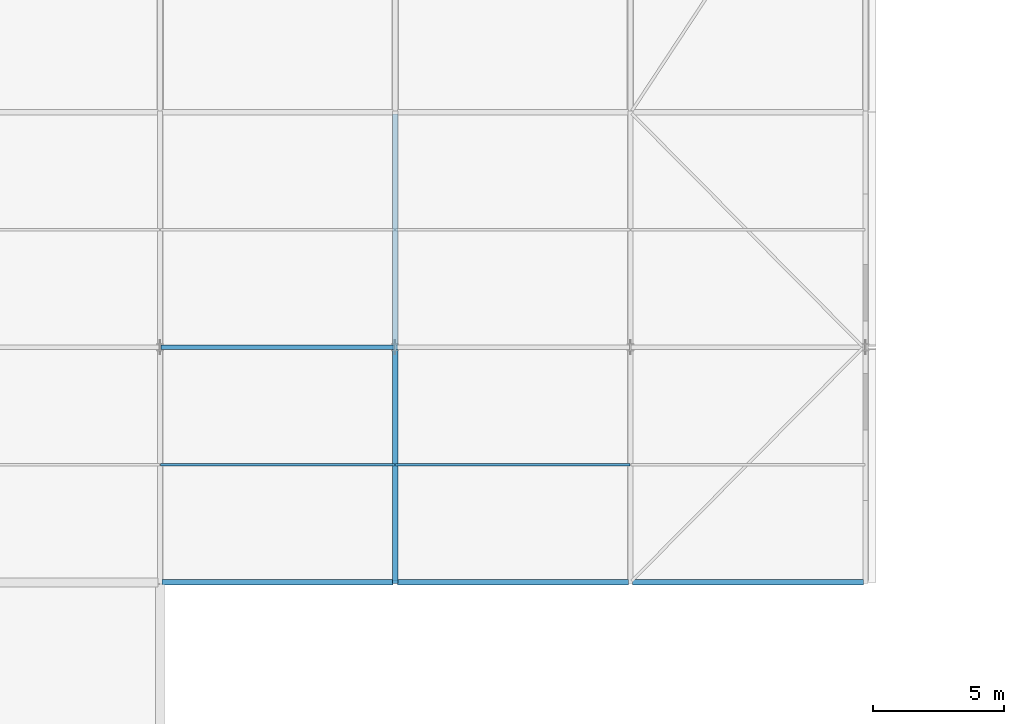
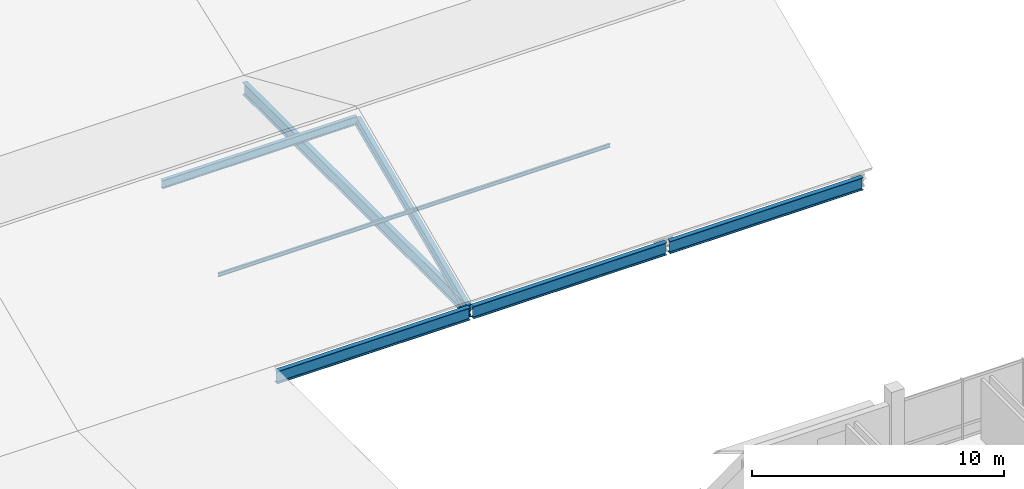
# One storey, part 24 of 163: 4 beams, 4 members.
"""IFC4 building model written with IfcOpenShell, lengths in metres."""

from ifc_helpers import new_model, si_unit, direction, frame, origin, origin_2d, place, context, subcontext, project, spatial, i_section, extrude, material, material_profile, profile_set, type_object, element, save


model = new_model("IFC4")

# Units and contexts
model_context = context("Model", 3, precision=1e-05, world=origin(), true_north=direction((0.0, 1.0)))
body_context = subcontext(model_context, "Body", "Model", "MODEL_VIEW")
ifc_project = project(units=[si_unit("LENGTHUNIT", "METRE"), si_unit("AREAUNIT", "SQUARE_METRE"), si_unit("VOLUMEUNIT", "CUBIC_METRE"), si_unit("PLANEANGLEUNIT", "RADIAN"), si_unit("MASSUNIT", "GRAM", prefix="KILO")], contexts=[model_context])

# Site, building, storey
site_placement = place(None, origin())
site = spatial("IfcSite", under=ifc_project, at=site_placement, CompositionType="ELEMENT")
building_placement = place(site_placement, origin())
building = spatial("IfcBuilding", under=site, at=building_placement, Name="Tharagai Park Tramway Depot", CompositionType="ELEMENT")
storey_placement = place(building_placement, frame((0.0, 0.0, 8.39990234375)))
storey = spatial("IfcBuildingStorey", under=building, at=storey_placement, Name="L02", CompositionType="ELEMENT", Elevation=8.39990234375)

# Beams
ifc_material_1 = material(Name="Steel E350", Category="steel")
ifc_material_profile_1 = material_profile(ifc_material_1, i_section(OverallWidth=0.2099609375, OverallDepth=0.60009765625, WebThickness=0.011962890625, FlangeThickness=0.020751953125, FilletRadius=0.02001953125, at=origin_2d()), Name="ISMB 600")
ifc_profile_set_1 = profile_set([ifc_material_profile_1], Name="Steel E350")
beam_type = type_object("IfcBeamType", Name="BM-10", PredefinedType="BEAM", material=ifc_profile_set_1)
for number, where, z_axis, x_axis, name in (
    (1, (63.080078125, 45.0, -0.5498046875), (1.0, 0.0, 0.0), (0.0, 1.0, 0.0), "V2A Roof Eave Girder BM-10"),
    (2, (72.080078125, 45.0, -0.5498046875), (1.0, 0.0, 0.0), (0.0, 1.0, 0.0), "V2A Roof Eave Girder BM-10"),
    (3, (81.080078125, 45.0, -0.5498046875), (1.0, 0.0, 0.0), (0.0, 1.0, 0.0), "V2A Roof Eave Girder BM-10"),
):
    element("IfcBeam", number, at=place(storey_placement, frame(where, z_axis=z_axis, x_axis=x_axis)), inside=storey, type_object=beam_type, Name=name, PredefinedType="BEAM", context=body_context, shape_type="SweptSolid", body=[
        extrude(i_section(OverallWidth=0.2099609375, OverallDepth=0.60009765625, WebThickness=0.011962890625, FlangeThickness=0.020751953125, FilletRadius=0.02001953125, at=origin_2d()), origin(), (0.0, 0.0, 1.0), 8.83984375),
    ])
beam_placement = place(storey_placement, frame((72.0, 45.080078125, -0.5498046875), z_axis=(0.0, 1.0, 0.0), x_axis=(-1.0, 0.0, 0.0)))
element("IfcBeam", 4, at=beam_placement, inside=storey, type_object=beam_type, Name="V2A Gable Tie Girder BM-10", PredefinedType="BEAM", context=body_context, shape_type="SweptSolid", body=[
    extrude(i_section(OverallWidth=0.2099609375, OverallDepth=0.60009765625, WebThickness=0.011962890625, FlangeThickness=0.020751953125, FilletRadius=0.02001953125, at=origin_2d()), origin(), (0.0, 0.0, 1.0), 17.83984375),
])

# Members
ifc_material_2 = material(Name="Steel E250", Category="steel")
ifc_material_profile_2 = material_profile(ifc_material_2, i_section(OverallWidth=0.090087890625, OverallDepth=0.175048828125, WebThickness=0.005615234375, FlangeThickness=0.009033203125, FilletRadius=0.010009765625, at=origin_2d()), Name="ISMB 175")
ifc_profile_set_2 = profile_set([ifc_material_profile_2], Name="Steel E250")
member_type_1 = type_object("IfcMemberType", Name="PR-01", PredefinedType="PURLIN", material=ifc_profile_set_2)
for number, where, z_axis, x_axis, name in (
    (5, (63.02001953125, 49.5, 1.6689453125), (1.0, 0.0, 0.0), (0.0, 1.0, 0.0), "V2A Roof Purlin PR-01"),
    (6, (72.02001953125, 49.5, 1.6689453125), (1.0, 0.0, 0.0), (0.0, 1.0, 0.0), "V2A Roof Purlin PR-01"),
):
    element("IfcMember", number, at=place(storey_placement, frame(where, z_axis=z_axis, x_axis=x_axis)), inside=storey, type_object=member_type_1, Name=name, PredefinedType="PURLIN", context=body_context, shape_type="SweptSolid", body=[
        extrude(i_section(OverallWidth=0.090087890625, OverallDepth=0.175048828125, WebThickness=0.005615234375, FlangeThickness=0.009033203125, FilletRadius=0.010009765625, at=origin_2d()), origin(), (0.0, 0.0, 1.0), 8.9599609375),
    ])
ifc_material_profile_3 = material_profile(ifc_material_1, i_section(OverallWidth=0.199951171875, OverallDepth=0.449951171875, WebThickness=0.00927734375, FlangeThickness=0.015380859375, FilletRadius=0.014892578125, at=origin_2d()), Name="ISWB 450")
ifc_profile_set_3 = profile_set([ifc_material_profile_3], Name="Steel E350")
member_type_2 = type_object("IfcMemberType", Name="RF-03", PredefinedType="RAFTER", material=ifc_profile_set_3)
member_1_placement = place(storey_placement, frame((72.0, 45.050048828125, -0.605224609375), z_axis=(0.0, 0.916242784214, 0.400623464584), x_axis=(-1.0, 0.0, 0.0)))
element("IfcMember", 7, at=member_1_placement, inside=storey, type_object=member_type_2, Name="V2A Pitched Rafter RF-03 South", PredefinedType="RAFTER", context=body_context, shape_type="SweptSolid", body=[
    extrude(i_section(OverallWidth=0.199951171875, OverallDepth=0.449951171875, WebThickness=0.00927734375, FlangeThickness=0.015380859375, FilletRadius=0.014892578125, at=origin_2d()), origin(), (0.0, 0.0, 1.0), 9.76806640625),
])
ifc_material_profile_4 = material_profile(ifc_material_1, i_section(OverallWidth=0.1650390625, OverallDepth=0.39990234375, WebThickness=0.008056640625, FlangeThickness=0.012451171875, FilletRadius=0.013916015625, at=origin_2d()), Name="ISLB 400")
ifc_profile_set_4 = profile_set([ifc_material_profile_4], Name="Steel E350")
member_type_3 = type_object("IfcMemberType", Name="TC-04", PredefinedType="CHORD", material=ifc_profile_set_4)
member_2_placement = place(storey_placement, frame((63.0400390625, 54.0, 3.3330078125), z_axis=(1.0, 0.0, 0.0), x_axis=(0.0, 1.0, 0.0)))
element("IfcMember", 8, at=member_2_placement, inside=storey, type_object=member_type_3, Name="V2A Roof Ridge Chord TC-04", PredefinedType="CHORD", context=body_context, shape_type="SweptSolid", body=[
    extrude(i_section(OverallWidth=0.1650390625, OverallDepth=0.39990234375, WebThickness=0.008056640625, FlangeThickness=0.012451171875, FilletRadius=0.013916015625, at=origin_2d()), origin(), (0.0, 0.0, 1.0), 8.919921875),
])

save(model, "model.ifc")
